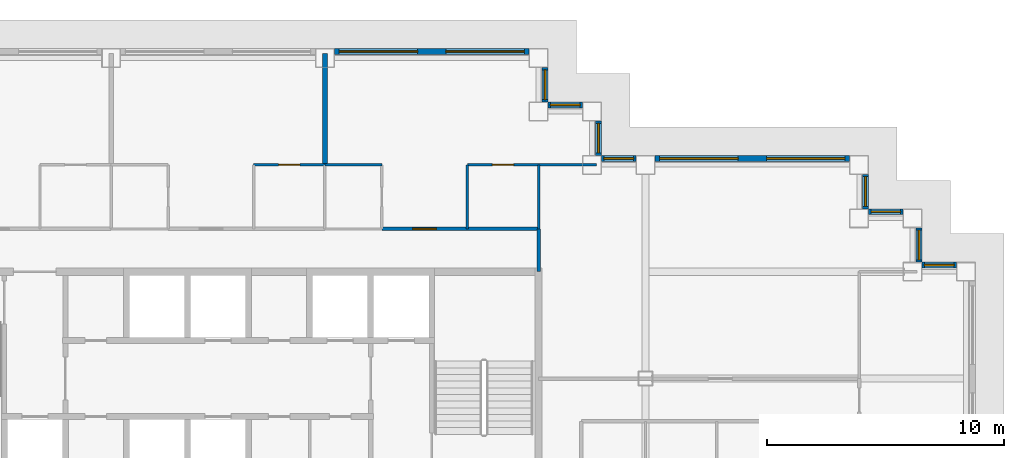
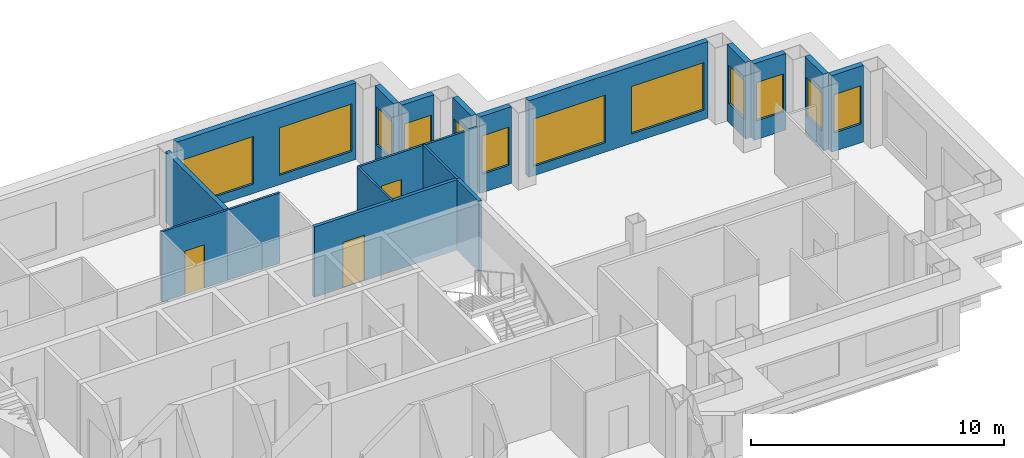
# One storey, part 9 of 13: 18 walls, 12 windows, 3 doors, 15 openings.
"""IFC4 building model written with IfcOpenShell, lengths in metres."""

from ifc_helpers import new_model, si_unit, direction, frame, frame_2d, origin, place, context, subcontext, project, spatial, rectangle, extrude, material, layer, layer_set, type_object, element, fill, save


model = new_model("IFC4")

# Units and contexts
model_context = context("Model", 3, precision=1e-05, world=origin(), true_north=direction((0.0, 1.0)))
body_context = subcontext(model_context, "Body", "Model", "MODEL_VIEW")
ifc_project = project(units=[si_unit("LENGTHUNIT", "METRE"), si_unit("AREAUNIT", "SQUARE_METRE"), si_unit("VOLUMEUNIT", "CUBIC_METRE"), si_unit("PLANEANGLEUNIT", "RADIAN"), si_unit("MASSUNIT", "GRAM", prefix="KILO")], contexts=[model_context])

# Site, building, storey
site_placement = place(None, origin())
site = spatial("IfcSite", under=ifc_project, at=site_placement, CompositionType="ELEMENT")
building_placement = place(site_placement, origin())
building = spatial("IfcBuilding", under=site, at=building_placement, Name="Caravel Reach Hotel and Residences", CompositionType="ELEMENT")
storey_placement = place(building_placement, frame((0.0, 0.0, 154.300048828125)))
storey = spatial("IfcBuildingStorey", under=building, at=storey_placement, Name="L38", CompositionType="ELEMENT", Elevation=154.300048828125)

# Wall
ifc_material_1 = material(Name="Gypsum board on steel stud", Category="steel")
ifc_layer_1 = layer(ifc_material_1, 0.10009765625)
ifc_layer_set_1 = layer_set([ifc_layer_1], Name="Bathroom pod wall 100 mm")
wall_type_1 = type_object("IfcWallType", Name="Bathroom pod wall 100 mm", PredefinedType="PARTITIONING", material=ifc_layer_set_1)
wall_1_placement = place(storey_placement, frame((36.0, 36.0, 0.0), z_axis=(0.0, 0.0, 1.0), x_axis=(1.0, 0.0, 0.0)))
element("IfcWall", 1, at=wall_1_placement, inside=storey, type_object=wall_type_1, Name="L38 wall w094", PredefinedType="PARTITIONING", context=body_context, shape_type="SweptSolid", body=[
    extrude(rectangle(XDim=2.39990234375, YDim=0.10009765625, at=frame_2d((1.199951171875, 0.0))), origin(), (0.0, 0.0, 1.0), 3.39990234375),
])

# Wall, opening, door
ifc_material_2 = material(Name="Gypsum board on steel stud, fire-rated", Category="steel")
ifc_layer_2 = layer(ifc_material_2, 0.14990234375)
ifc_layer_set_2 = layer_set([ifc_layer_2], Name="Corridor wall 150 mm EI 60")
wall_type_2 = type_object("IfcWallType", Name="Corridor wall 150 mm EI 60", PredefinedType="PARTITIONING", material=ifc_layer_set_2)
wall_2_placement = place(storey_placement, frame((38.39990234375, 33.300048828125, 0.0), z_axis=(0.0, 0.0, 1.0), x_axis=(1.0, 0.0, 0.0)))
wall_2 = element("IfcWall", 2, at=wall_2_placement, inside=storey, type_object=wall_type_2, Name="L38 wall w018", PredefinedType="PARTITIONING", context=body_context, shape_type="SweptSolid", body=[
    extrude(rectangle(XDim=6.60009765625, YDim=0.14990234375, at=frame_2d((3.300048828125, 0.0))), origin(), (0.0, 0.0, 1.0), 3.39990234375),
])
opening_1_placement = place(wall_2_placement, frame((1.300048828125, 0.0, 0.0)))
opening_1 = element("IfcOpeningElement", 3, at=opening_1_placement, cuts=wall_2, Name="Opening D38-023", PredefinedType="OPENING", context=body_context, shape_type="SweptSolid", body=[
    extrude(rectangle(XDim=1.0, YDim=2.199951171875, at=frame_2d((0.5, 1.10009765625))), frame((0.0, 0.0849609375, 0.0), z_axis=(0.0, -1.0, 0.0), x_axis=(1.0, 0.0, 0.0)), (0.0, 0.0, 1.0), 0.169921875),
])
ifc_material_3 = material(Name="Steel fire door leaf", Category="steel")
door_type_1 = type_object("IfcDoorType", Name="Flat entrance door 1000 x 2200 EI 60", OperationType="SINGLE_SWING_LEFT", PredefinedType="DOOR", material=ifc_material_3)
door_1_placement = place(opening_1_placement, origin())
door_1 = element("IfcDoor", 4, at=door_1_placement, inside=storey, type_object=door_type_1, Name="door D38-023", OperationType="SINGLE_SWING_LEFT", OverallHeight=2.199951171875, OverallWidth=1.0, PredefinedType="DOOR", context=body_context, shape_type="SweptSolid", body=[
    extrude(rectangle(XDim=1.0, YDim=2.199951171875, at=frame_2d((0.5, 1.10009765625))), frame((0.0, 0.02490234375, 0.0), z_axis=(0.0, -1.0, 0.0), x_axis=(1.0, 0.0, 0.0)), (0.0, 0.0, 1.0), 0.050048828125),
])
fill(opening_1, door_1)

# Wall
wall_3_placement = place(storey_placement, frame((45.0, 31.5, 0.0), z_axis=(0.0, 0.0, 1.0), x_axis=(0.0, 1.0, 0.0)))
element("IfcWall", 5, at=wall_3_placement, inside=storey, type_object=wall_type_2, Name="L38 wall w031", PredefinedType="PARTITIONING", context=body_context, shape_type="SweptSolid", body=[
    extrude(rectangle(XDim=1.800048828125, YDim=0.14990234375, at=frame_2d((0.89990234375, 0.0))), origin(), (0.0, 0.0, 1.0), 3.39990234375),
])

# Wall, opening, window
ifc_material_4 = material(Name="Insulated rainscreen wall, aluminium cladding", Category="aluminium")
ifc_layer_3 = layer(ifc_material_4, 0.25)
ifc_layer_set_3 = layer_set([ifc_layer_3], Name="EW1 Tower rainscreen wall")
wall_type_3 = type_object("IfcWallType", Name="EW1 Tower rainscreen wall", PredefinedType="SOLIDWALL", material=ifc_layer_set_3)
wall_4_placement = place(storey_placement, frame((62.60009765625, 31.77490234375, 0.0), z_axis=(0.0, 0.0, 1.0), x_axis=(-1.0, 0.0, 0.0)))
wall_4 = element("IfcWall", 6, at=wall_4_placement, inside=storey, type_object=wall_type_3, Name="External wall L38 N21.1", PredefinedType="SOLIDWALL", context=body_context, shape_type="SweptSolid", body=[
    extrude(rectangle(XDim=1.4501953125, YDim=0.25, at=frame_2d((0.72509765625, 0.0))), origin(), (0.0, 0.0, 1.0), 3.699951171875),
])
opening_2_placement = place(wall_4_placement, frame((0.10009765625, 0.0, 0.89990234375)))
opening_2 = element("IfcOpeningElement", 7, at=opening_2_placement, cuts=wall_4, Name="Opening WN13", PredefinedType="OPENING", context=body_context, shape_type="SweptSolid", body=[
    extrude(rectangle(XDim=1.25, YDim=1.85009765625, at=frame_2d((0.625, 0.925048828125))), frame((0.0, 0.135009765625, 0.0), z_axis=(0.0, -1.0, 0.0), x_axis=(1.0, 0.0, 0.0)), (0.0, 0.0, 1.0), 0.27001953125),
])
ifc_material_5 = material(Name="Dark low-e glazing in black aluminium frame", Category="aluminium")
window_type_1 = type_object("IfcWindowType", Name="Residence bedroom window 1250 x 1850", PartitioningType="SINGLE_PANEL", PredefinedType="WINDOW", material=ifc_material_5)
window_1_placement = place(opening_2_placement, origin())
window_1 = element("IfcWindow", 8, at=window_1_placement, inside=storey, type_object=window_type_1, Name="Window L38 N21.1.1", OverallHeight=1.85009765625, OverallWidth=1.25, PartitioningType="SINGLE_PANEL", PredefinedType="WINDOW", context=body_context, shape_type="SweptSolid", body=[
    extrude(rectangle(XDim=1.25, YDim=1.85009765625, at=frame_2d((0.625, 0.925048828125))), frame((0.0, 0.030029296875, 0.0), z_axis=(0.0, -1.0, 0.0), x_axis=(1.0, 0.0, 0.0)), (0.0, 0.0, 1.0), 0.06005859375),
])
fill(opening_2, window_1)

wall_5_placement = place(storey_placement, frame((61.02490234375, 31.89990234375, 0.0), z_axis=(0.0, 0.0, 1.0), x_axis=(0.0, 1.0, 0.0)))
wall_5 = element("IfcWall", 9, at=wall_5_placement, inside=storey, type_object=wall_type_3, Name="External wall L38 E22.1", PredefinedType="SOLIDWALL", context=body_context, shape_type="SweptSolid", body=[
    extrude(rectangle(XDim=1.4501953125, YDim=0.25, at=frame_2d((0.72509765625, 0.0))), origin(), (0.0, 0.0, 1.0), 3.699951171875),
])
opening_3_placement = place(wall_5_placement, frame((0.10009765625, 0.0, 0.89990234375)))
opening_3 = element("IfcOpeningElement", 10, at=opening_3_placement, cuts=wall_5, Name="Opening WN13", PredefinedType="OPENING", context=body_context, shape_type="SweptSolid", body=[
    extrude(rectangle(XDim=1.25, YDim=1.85009765625, at=frame_2d((0.625, 0.925048828125))), frame((0.0, 0.135009765625, 0.0), z_axis=(0.0, -1.0, 0.0), x_axis=(1.0, 0.0, 0.0)), (0.0, 0.0, 1.0), 0.27001953125),
])
window_2_placement = place(opening_3_placement, origin())
window_2 = element("IfcWindow", 11, at=window_2_placement, inside=storey, type_object=window_type_1, Name="Window L38 E22.1.1", OverallHeight=1.85009765625, OverallWidth=1.25, PartitioningType="SINGLE_PANEL", PredefinedType="WINDOW", context=body_context, shape_type="SweptSolid", body=[
    extrude(rectangle(XDim=1.25, YDim=1.85009765625, at=frame_2d((0.625, 0.925048828125))), frame((0.0, 0.030029296875, 0.0), z_axis=(0.0, -1.0, 0.0), x_axis=(1.0, 0.0, 0.0)), (0.0, 0.0, 1.0), 0.06005859375),
])
fill(opening_3, window_2)

wall_6_placement = place(storey_placement, frame((60.35009765625, 34.02490234375, 0.0), z_axis=(0.0, 0.0, 1.0), x_axis=(-1.0, 0.0, 0.0)))
wall_6 = element("IfcWall", 12, at=wall_6_placement, inside=storey, type_object=wall_type_3, Name="External wall L38 N23.1", PredefinedType="SOLIDWALL", context=body_context, shape_type="SweptSolid", body=[
    extrude(rectangle(XDim=1.4501953125, YDim=0.25, at=frame_2d((0.72509765625, 0.0))), origin(), (0.0, 0.0, 1.0), 3.699951171875),
])
opening_4_placement = place(wall_6_placement, frame((0.10009765625, 0.0, 0.89990234375)))
opening_4 = element("IfcOpeningElement", 13, at=opening_4_placement, cuts=wall_6, Name="Opening WN13", PredefinedType="OPENING", context=body_context, shape_type="SweptSolid", body=[
    extrude(rectangle(XDim=1.25, YDim=1.85009765625, at=frame_2d((0.625, 0.925048828125))), frame((0.0, 0.135009765625, 0.0), z_axis=(0.0, -1.0, 0.0), x_axis=(1.0, 0.0, 0.0)), (0.0, 0.0, 1.0), 0.27001953125),
])
window_3_placement = place(opening_4_placement, origin())
window_3 = element("IfcWindow", 14, at=window_3_placement, inside=storey, type_object=window_type_1, Name="Window L38 N23.1.1", OverallHeight=1.85009765625, OverallWidth=1.25, PartitioningType="SINGLE_PANEL", PredefinedType="WINDOW", context=body_context, shape_type="SweptSolid", body=[
    extrude(rectangle(XDim=1.25, YDim=1.85009765625, at=frame_2d((0.625, 0.925048828125))), frame((0.0, 0.030029296875, 0.0), z_axis=(0.0, -1.0, 0.0), x_axis=(1.0, 0.0, 0.0)), (0.0, 0.0, 1.0), 0.06005859375),
])
fill(opening_4, window_3)

wall_7_placement = place(storey_placement, frame((58.77490234375, 34.14990234375, 0.0), z_axis=(0.0, 0.0, 1.0), x_axis=(0.0, 1.0, 0.0)))
wall_7 = element("IfcWall", 15, at=wall_7_placement, inside=storey, type_object=wall_type_3, Name="External wall L38 E24.1", PredefinedType="SOLIDWALL", context=body_context, shape_type="SweptSolid", body=[
    extrude(rectangle(XDim=1.4501953125, YDim=0.25, at=frame_2d((0.72509765625, 0.0))), origin(), (0.0, 0.0, 1.0), 3.699951171875),
])
opening_5_placement = place(wall_7_placement, frame((0.10009765625, 0.0, 0.89990234375)))
opening_5 = element("IfcOpeningElement", 16, at=opening_5_placement, cuts=wall_7, Name="Opening WN13", PredefinedType="OPENING", context=body_context, shape_type="SweptSolid", body=[
    extrude(rectangle(XDim=1.25, YDim=1.85009765625, at=frame_2d((0.625, 0.925048828125))), frame((0.0, 0.135009765625, 0.0), z_axis=(0.0, -1.0, 0.0), x_axis=(1.0, 0.0, 0.0)), (0.0, 0.0, 1.0), 0.27001953125),
])
window_4_placement = place(opening_5_placement, origin())
window_4 = element("IfcWindow", 17, at=window_4_placement, inside=storey, type_object=window_type_1, Name="Window L38 E24.1.1", OverallHeight=1.85009765625, OverallWidth=1.25, PartitioningType="SINGLE_PANEL", PredefinedType="WINDOW", context=body_context, shape_type="SweptSolid", body=[
    extrude(rectangle(XDim=1.25, YDim=1.85009765625, at=frame_2d((0.625, 0.925048828125))), frame((0.0, 0.030029296875, 0.0), z_axis=(0.0, -1.0, 0.0), x_axis=(1.0, 0.0, 0.0)), (0.0, 0.0, 1.0), 0.06005859375),
])
fill(opening_5, window_4)

# Wall, openings, windows
wall_8_placement = place(storey_placement, frame((58.10009765625, 36.27490234375, 0.0), z_axis=(0.0, 0.0, 1.0), x_axis=(-1.0, 0.0, 0.0)))
wall_8 = element("IfcWall", 18, at=wall_8_placement, inside=storey, type_object=wall_type_3, Name="External wall L38 N25.1", PredefinedType="SOLIDWALL", context=body_context, shape_type="SweptSolid", body=[
    extrude(rectangle(XDim=8.2001953125, YDim=0.25, at=frame_2d((4.10009765625, 0.0))), origin(), (0.0, 0.0, 1.0), 3.699951171875),
])
opening_6_placement = place(wall_8_placement, frame((0.199951171875, 0.0, 0.449951171875)))
opening_6 = element("IfcOpeningElement", 19, at=opening_6_placement, cuts=wall_8, Name="Opening WN15", PredefinedType="OPENING", context=body_context, shape_type="SweptSolid", body=[
    extrude(rectangle(XDim=3.300048828125, YDim=2.300048828125, at=frame_2d((1.64990234375, 1.14990234375))), frame((0.0, 0.135009765625, 0.0), z_axis=(0.0, -1.0, 0.0), x_axis=(1.0, 0.0, 0.0)), (0.0, 0.0, 1.0), 0.27001953125),
])
opening_7_placement = place(wall_8_placement, frame((4.699951171875, 0.0, 0.449951171875)))
opening_7 = element("IfcOpeningElement", 20, at=opening_7_placement, cuts=wall_8, Name="Opening WN15", PredefinedType="OPENING", context=body_context, shape_type="SweptSolid", body=[
    extrude(rectangle(XDim=3.300048828125, YDim=2.300048828125, at=frame_2d((1.64990234375, 1.14990234375))), frame((0.0, 0.135009765625, 0.0), z_axis=(0.0, -1.0, 0.0), x_axis=(1.0, 0.0, 0.0)), (0.0, 0.0, 1.0), 0.27001953125),
])
ifc_material_6 = material(Name="Dark low-e glazing in black aluminium frame", Category="aluminium")
window_type_2 = type_object("IfcWindowType", Name="Residence living window 3300 x 2300", PartitioningType="SINGLE_PANEL", PredefinedType="WINDOW", material=ifc_material_6)
window_5_placement = place(opening_6_placement, origin())
window_5 = element("IfcWindow", 21, at=window_5_placement, inside=storey, type_object=window_type_2, Name="Window L38 N25.1.1", OverallHeight=2.300048828125, OverallWidth=3.300048828125, PartitioningType="SINGLE_PANEL", PredefinedType="WINDOW", context=body_context, shape_type="SweptSolid", body=[
    extrude(rectangle(XDim=3.300048828125, YDim=2.300048828125, at=frame_2d((1.64990234375, 1.14990234375))), frame((0.0, 0.030029296875, 0.0), z_axis=(0.0, -1.0, 0.0), x_axis=(1.0, 0.0, 0.0)), (0.0, 0.0, 1.0), 0.06005859375),
])
fill(opening_6, window_5)
window_6_placement = place(opening_7_placement, origin())
window_6 = element("IfcWindow", 22, at=window_6_placement, inside=storey, type_object=window_type_2, Name="Window L38 N25.1.2", OverallHeight=2.300048828125, OverallWidth=3.300048828125, PartitioningType="SINGLE_PANEL", PredefinedType="WINDOW", context=body_context, shape_type="SweptSolid", body=[
    extrude(rectangle(XDim=3.300048828125, YDim=2.300048828125, at=frame_2d((1.64990234375, 1.14990234375))), frame((0.0, 0.030029296875, 0.0), z_axis=(0.0, -1.0, 0.0), x_axis=(1.0, 0.0, 0.0)), (0.0, 0.0, 1.0), 0.06005859375),
])
fill(opening_7, window_6)

# Wall, opening, window
wall_9_placement = place(storey_placement, frame((49.10009765625, 36.27490234375, 0.0), z_axis=(0.0, 0.0, 1.0), x_axis=(-1.0, 0.0, 0.0)))
wall_9 = element("IfcWall", 23, at=wall_9_placement, inside=storey, type_object=wall_type_3, Name="External wall L38 N25.2", PredefinedType="SOLIDWALL", context=body_context, shape_type="SweptSolid", body=[
    extrude(rectangle(XDim=1.4501953125, YDim=0.25, at=frame_2d((0.72509765625, 0.0))), origin(), (0.0, 0.0, 1.0), 3.699951171875),
])
opening_8_placement = place(wall_9_placement, frame((0.10009765625, 0.0, 0.89990234375)))
opening_8 = element("IfcOpeningElement", 24, at=opening_8_placement, cuts=wall_9, Name="Opening WN13", PredefinedType="OPENING", context=body_context, shape_type="SweptSolid", body=[
    extrude(rectangle(XDim=1.25, YDim=1.85009765625, at=frame_2d((0.625, 0.925048828125))), frame((0.0, 0.135009765625, 0.0), z_axis=(0.0, -1.0, 0.0), x_axis=(1.0, 0.0, 0.0)), (0.0, 0.0, 1.0), 0.27001953125),
])
window_7_placement = place(opening_8_placement, origin())
window_7 = element("IfcWindow", 25, at=window_7_placement, inside=storey, type_object=window_type_1, Name="Window L38 N25.2.1", OverallHeight=1.85009765625, OverallWidth=1.25, PartitioningType="SINGLE_PANEL", PredefinedType="WINDOW", context=body_context, shape_type="SweptSolid", body=[
    extrude(rectangle(XDim=1.25, YDim=1.85009765625, at=frame_2d((0.625, 0.925048828125))), frame((0.0, 0.030029296875, 0.0), z_axis=(0.0, -1.0, 0.0), x_axis=(1.0, 0.0, 0.0)), (0.0, 0.0, 1.0), 0.06005859375),
])
fill(opening_8, window_7)

wall_10_placement = place(storey_placement, frame((47.52490234375, 36.39990234375, 0.0), z_axis=(0.0, 0.0, 1.0), x_axis=(0.0, 1.0, 0.0)))
wall_10 = element("IfcWall", 26, at=wall_10_placement, inside=storey, type_object=wall_type_3, Name="External wall L38 E26.1", PredefinedType="SOLIDWALL", context=body_context, shape_type="SweptSolid", body=[
    extrude(rectangle(XDim=1.4501953125, YDim=0.25, at=frame_2d((0.72509765625, 0.0))), origin(), (0.0, 0.0, 1.0), 3.699951171875),
])
opening_9_placement = place(wall_10_placement, frame((0.10009765625, 0.0, 0.89990234375)))
opening_9 = element("IfcOpeningElement", 27, at=opening_9_placement, cuts=wall_10, Name="Opening WN13", PredefinedType="OPENING", context=body_context, shape_type="SweptSolid", body=[
    extrude(rectangle(XDim=1.25, YDim=1.85009765625, at=frame_2d((0.625, 0.925048828125))), frame((0.0, 0.135009765625, 0.0), z_axis=(0.0, -1.0, 0.0), x_axis=(1.0, 0.0, 0.0)), (0.0, 0.0, 1.0), 0.27001953125),
])
window_8_placement = place(opening_9_placement, origin())
window_8 = element("IfcWindow", 28, at=window_8_placement, inside=storey, type_object=window_type_1, Name="Window L38 E26.1.1", OverallHeight=1.85009765625, OverallWidth=1.25, PartitioningType="SINGLE_PANEL", PredefinedType="WINDOW", context=body_context, shape_type="SweptSolid", body=[
    extrude(rectangle(XDim=1.25, YDim=1.85009765625, at=frame_2d((0.625, 0.925048828125))), frame((0.0, 0.030029296875, 0.0), z_axis=(0.0, -1.0, 0.0), x_axis=(1.0, 0.0, 0.0)), (0.0, 0.0, 1.0), 0.06005859375),
])
fill(opening_9, window_8)

wall_11_placement = place(storey_placement, frame((46.85009765625, 38.52490234375, 0.0), z_axis=(0.0, 0.0, 1.0), x_axis=(-1.0, 0.0, 0.0)))
wall_11 = element("IfcWall", 29, at=wall_11_placement, inside=storey, type_object=wall_type_3, Name="External wall L38 N27.1", PredefinedType="SOLIDWALL", context=body_context, shape_type="SweptSolid", body=[
    extrude(rectangle(XDim=1.4501953125, YDim=0.25, at=frame_2d((0.72509765625, 0.0))), origin(), (0.0, 0.0, 1.0), 3.699951171875),
])
opening_10_placement = place(wall_11_placement, frame((0.10009765625, 0.0, 0.89990234375)))
opening_10 = element("IfcOpeningElement", 30, at=opening_10_placement, cuts=wall_11, Name="Opening WN13", PredefinedType="OPENING", context=body_context, shape_type="SweptSolid", body=[
    extrude(rectangle(XDim=1.25, YDim=1.85009765625, at=frame_2d((0.625, 0.925048828125))), frame((0.0, 0.135009765625, 0.0), z_axis=(0.0, -1.0, 0.0), x_axis=(1.0, 0.0, 0.0)), (0.0, 0.0, 1.0), 0.27001953125),
])
window_9_placement = place(opening_10_placement, origin())
window_9 = element("IfcWindow", 31, at=window_9_placement, inside=storey, type_object=window_type_1, Name="Window L38 N27.1.1", OverallHeight=1.85009765625, OverallWidth=1.25, PartitioningType="SINGLE_PANEL", PredefinedType="WINDOW", context=body_context, shape_type="SweptSolid", body=[
    extrude(rectangle(XDim=1.25, YDim=1.85009765625, at=frame_2d((0.625, 0.925048828125))), frame((0.0, 0.030029296875, 0.0), z_axis=(0.0, -1.0, 0.0), x_axis=(1.0, 0.0, 0.0)), (0.0, 0.0, 1.0), 0.06005859375),
])
fill(opening_10, window_9)

wall_12_placement = place(storey_placement, frame((45.27490234375, 38.64990234375, 0.0), z_axis=(0.0, 0.0, 1.0), x_axis=(0.0, 1.0, 0.0)))
wall_12 = element("IfcWall", 32, at=wall_12_placement, inside=storey, type_object=wall_type_3, Name="External wall L38 E28.1", PredefinedType="SOLIDWALL", context=body_context, shape_type="SweptSolid", body=[
    extrude(rectangle(XDim=1.4501953125, YDim=0.25, at=frame_2d((0.72509765625, 0.0))), origin(), (0.0, 0.0, 1.0), 3.699951171875),
])
opening_11_placement = place(wall_12_placement, frame((0.10009765625, 0.0, 0.89990234375)))
opening_11 = element("IfcOpeningElement", 33, at=opening_11_placement, cuts=wall_12, Name="Opening WN13", PredefinedType="OPENING", context=body_context, shape_type="SweptSolid", body=[
    extrude(rectangle(XDim=1.25, YDim=1.85009765625, at=frame_2d((0.625, 0.925048828125))), frame((0.0, 0.135009765625, 0.0), z_axis=(0.0, -1.0, 0.0), x_axis=(1.0, 0.0, 0.0)), (0.0, 0.0, 1.0), 0.27001953125),
])
window_10_placement = place(opening_11_placement, origin())
window_10 = element("IfcWindow", 34, at=window_10_placement, inside=storey, type_object=window_type_1, Name="Window L38 E28.1.1", OverallHeight=1.85009765625, OverallWidth=1.25, PartitioningType="SINGLE_PANEL", PredefinedType="WINDOW", context=body_context, shape_type="SweptSolid", body=[
    extrude(rectangle(XDim=1.25, YDim=1.85009765625, at=frame_2d((0.625, 0.925048828125))), frame((0.0, 0.030029296875, 0.0), z_axis=(0.0, -1.0, 0.0), x_axis=(1.0, 0.0, 0.0)), (0.0, 0.0, 1.0), 0.06005859375),
])
fill(opening_11, window_10)

# Wall, openings, windows
wall_13_placement = place(storey_placement, frame((44.60009765625, 40.77490234375, 0.0), z_axis=(0.0, 0.0, 1.0), x_axis=(-1.0, 0.0, 0.0)))
wall_13 = element("IfcWall", 35, at=wall_13_placement, inside=storey, type_object=wall_type_3, Name="External wall L38 N29.1", PredefinedType="SOLIDWALL", context=body_context, shape_type="SweptSolid", body=[
    extrude(rectangle(XDim=8.2001953125, YDim=0.25, at=frame_2d((4.10009765625, 0.0))), origin(), (0.0, 0.0, 1.0), 3.699951171875),
])
opening_12_placement = place(wall_13_placement, frame((0.199951171875, 0.0, 0.449951171875)))
opening_12 = element("IfcOpeningElement", 36, at=opening_12_placement, cuts=wall_13, Name="Opening WN15", PredefinedType="OPENING", context=body_context, shape_type="SweptSolid", body=[
    extrude(rectangle(XDim=3.300048828125, YDim=2.300048828125, at=frame_2d((1.64990234375, 1.14990234375))), frame((0.0, 0.135009765625, 0.0), z_axis=(0.0, -1.0, 0.0), x_axis=(1.0, 0.0, 0.0)), (0.0, 0.0, 1.0), 0.27001953125),
])
opening_13_placement = place(wall_13_placement, frame((4.699951171875, 0.0, 0.449951171875)))
opening_13 = element("IfcOpeningElement", 37, at=opening_13_placement, cuts=wall_13, Name="Opening WN15", PredefinedType="OPENING", context=body_context, shape_type="SweptSolid", body=[
    extrude(rectangle(XDim=3.300048828125, YDim=2.300048828125, at=frame_2d((1.64990234375, 1.14990234375))), frame((0.0, 0.135009765625, 0.0), z_axis=(0.0, -1.0, 0.0), x_axis=(1.0, 0.0, 0.0)), (0.0, 0.0, 1.0), 0.27001953125),
])
window_11_placement = place(opening_12_placement, origin())
window_11 = element("IfcWindow", 38, at=window_11_placement, inside=storey, type_object=window_type_2, Name="Window L38 N29.1.1", OverallHeight=2.300048828125, OverallWidth=3.300048828125, PartitioningType="SINGLE_PANEL", PredefinedType="WINDOW", context=body_context, shape_type="SweptSolid", body=[
    extrude(rectangle(XDim=3.300048828125, YDim=2.300048828125, at=frame_2d((1.64990234375, 1.14990234375))), frame((0.0, 0.030029296875, 0.0), z_axis=(0.0, -1.0, 0.0), x_axis=(1.0, 0.0, 0.0)), (0.0, 0.0, 1.0), 0.06005859375),
])
fill(opening_12, window_11)
window_12_placement = place(opening_13_placement, origin())
window_12 = element("IfcWindow", 39, at=window_12_placement, inside=storey, type_object=window_type_2, Name="Window L38 N29.1.2", OverallHeight=2.300048828125, OverallWidth=3.300048828125, PartitioningType="SINGLE_PANEL", PredefinedType="WINDOW", context=body_context, shape_type="SweptSolid", body=[
    extrude(rectangle(XDim=3.300048828125, YDim=2.300048828125, at=frame_2d((1.64990234375, 1.14990234375))), frame((0.0, 0.030029296875, 0.0), z_axis=(0.0, -1.0, 0.0), x_axis=(1.0, 0.0, 0.0)), (0.0, 0.0, 1.0), 0.06005859375),
])
fill(opening_13, window_12)

# Wall, opening, door
ifc_material_7 = material(Name="Gypsum board on steel stud", Category="steel")
ifc_layer_4 = layer(ifc_material_7, 0.10009765625)
ifc_layer_set_4 = layer_set([ifc_layer_4], Name="Partition 100 mm")
wall_type_4 = type_object("IfcWallType", Name="Partition 100 mm", PredefinedType="PARTITIONING", material=ifc_layer_set_4)
wall_14_placement = place(storey_placement, frame((33.0, 36.0, 0.0), z_axis=(0.0, 0.0, 1.0), x_axis=(1.0, 0.0, 0.0)))
wall_14 = element("IfcWall", 40, at=wall_14_placement, inside=storey, type_object=wall_type_4, Name="L38 wall w045", PredefinedType="PARTITIONING", context=body_context, shape_type="SweptSolid", body=[
    extrude(rectangle(XDim=3.0, YDim=0.10009765625, at=frame_2d((1.5, 0.0))), origin(), (0.0, 0.0, 1.0), 3.39990234375),
])
opening_14_placement = place(wall_14_placement, frame((1.050048828125, 0.0, 0.0)))
opening_14 = element("IfcOpeningElement", 41, at=opening_14_placement, cuts=wall_14, Name="Opening D38-022", PredefinedType="OPENING", context=body_context, shape_type="SweptSolid", body=[
    extrude(rectangle(XDim=0.89990234375, YDim=2.10009765625, at=frame_2d((0.449951171875, 1.050048828125))), frame((0.0, 0.06005859375, 0.0), z_axis=(0.0, -1.0, 0.0), x_axis=(1.0, 0.0, 0.0)), (0.0, 0.0, 1.0), 0.1201171875),
])
ifc_material_8 = material(Name="Timber and steel door leaf", Category="steel")
door_type_2 = type_object("IfcDoorType", Name="Door 900 x 2100 timber", OperationType="SINGLE_SWING_LEFT", PredefinedType="DOOR", material=ifc_material_8)
door_2_placement = place(opening_14_placement, origin())
door_2 = element("IfcDoor", 42, at=door_2_placement, inside=storey, type_object=door_type_2, Name="door D38-022", OperationType="SINGLE_SWING_LEFT", OverallHeight=2.10009765625, OverallWidth=0.89990234375, PredefinedType="DOOR", context=body_context, shape_type="SweptSolid", body=[
    extrude(rectangle(XDim=0.89990234375, YDim=2.10009765625, at=frame_2d((0.449951171875, 1.050048828125))), frame((0.0, 0.02490234375, 0.0), z_axis=(0.0, -1.0, 0.0), x_axis=(1.0, 0.0, 0.0)), (0.0, 0.0, 1.0), 0.050048828125),
])
fill(opening_14, door_2)

wall_15_placement = place(storey_placement, frame((42.0, 36.0, 0.0), z_axis=(0.0, 0.0, 1.0), x_axis=(1.0, 0.0, 0.0)))
wall_15 = element("IfcWall", 43, at=wall_15_placement, inside=storey, type_object=wall_type_4, Name="L38 wall w047", PredefinedType="PARTITIONING", context=body_context, shape_type="SweptSolid", body=[
    extrude(rectangle(XDim=5.43994140625, YDim=0.10009765625, at=frame_2d((2.719970703125, 0.0))), origin(), (0.0, 0.0, 1.0), 3.39990234375),
])
opening_15_placement = place(wall_15_placement, frame((1.050048828125, 0.0, 0.0)))
opening_15 = element("IfcOpeningElement", 44, at=opening_15_placement, cuts=wall_15, Name="Opening D38-025", PredefinedType="OPENING", context=body_context, shape_type="SweptSolid", body=[
    extrude(rectangle(XDim=0.89990234375, YDim=2.10009765625, at=frame_2d((0.449951171875, 1.050048828125))), frame((0.0, 0.06005859375, 0.0), z_axis=(0.0, -1.0, 0.0), x_axis=(1.0, 0.0, 0.0)), (0.0, 0.0, 1.0), 0.1201171875),
])
door_3_placement = place(opening_15_placement, origin())
door_3 = element("IfcDoor", 45, at=door_3_placement, inside=storey, type_object=door_type_2, Name="door D38-025", OperationType="SINGLE_SWING_LEFT", OverallHeight=2.10009765625, OverallWidth=0.89990234375, PredefinedType="DOOR", context=body_context, shape_type="SweptSolid", body=[
    extrude(rectangle(XDim=0.89990234375, YDim=2.10009765625, at=frame_2d((0.449951171875, 1.050048828125))), frame((0.0, 0.02490234375, 0.0), z_axis=(0.0, -1.0, 0.0), x_axis=(1.0, 0.0, 0.0)), (0.0, 0.0, 1.0), 0.050048828125),
])
fill(opening_15, door_3)

# Walls
for number, where, z_axis, x_axis, name in (
    (46, (42.0, 33.300048828125, 0.0), (0.0, 0.0, 1.0), (0.0, 1.0, 0.0), "L38 wall w064"),
    (47, (45.0, 33.300048828125, 0.0), (0.0, 0.0, 1.0), (0.0, 1.0, 0.0), "L38 wall w066"),
):
    element("IfcWall", number, at=place(storey_placement, frame(where, z_axis=z_axis, x_axis=x_axis)), inside=storey, type_object=wall_type_4, Name=name, PredefinedType="PARTITIONING", context=body_context, shape_type="SweptSolid", body=[
        extrude(rectangle(XDim=2.699951171875, YDim=0.10009765625, at=frame_2d((1.35009765625, 0.0))), origin(), (0.0, 0.0, 1.0), 3.39990234375),
    ])
ifc_material_9 = material(Name="Autoclaved aerated block wall")
ifc_layer_5 = layer(ifc_material_9, 0.199951171875)
ifc_layer_set_5 = layer_set([ifc_layer_5], Name="Party wall 200 mm EI 60")
wall_type_5 = type_object("IfcWallType", Name="Party wall 200 mm EI 60", PredefinedType="PARTITIONING", material=ifc_layer_set_5)
wall_16_placement = place(storey_placement, frame((36.0, 36.0, 0.0), z_axis=(0.0, 0.0, 1.0), x_axis=(0.0, 1.0, 0.0)))
element("IfcWall", 48, at=wall_16_placement, inside=storey, type_object=wall_type_5, Name="L38 wall w076", PredefinedType="PARTITIONING", context=body_context, shape_type="SweptSolid", body=[
    extrude(rectangle(XDim=4.68994140625, YDim=0.199951171875, at=frame_2d((2.344970703125, 0.0))), origin(), (0.0, 0.0, 1.0), 3.39990234375),
])

save(model, "model.ifc")
